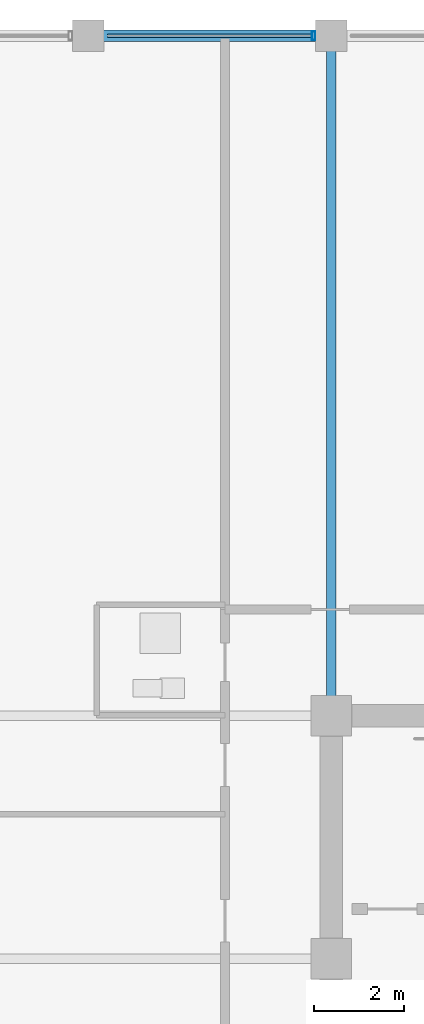
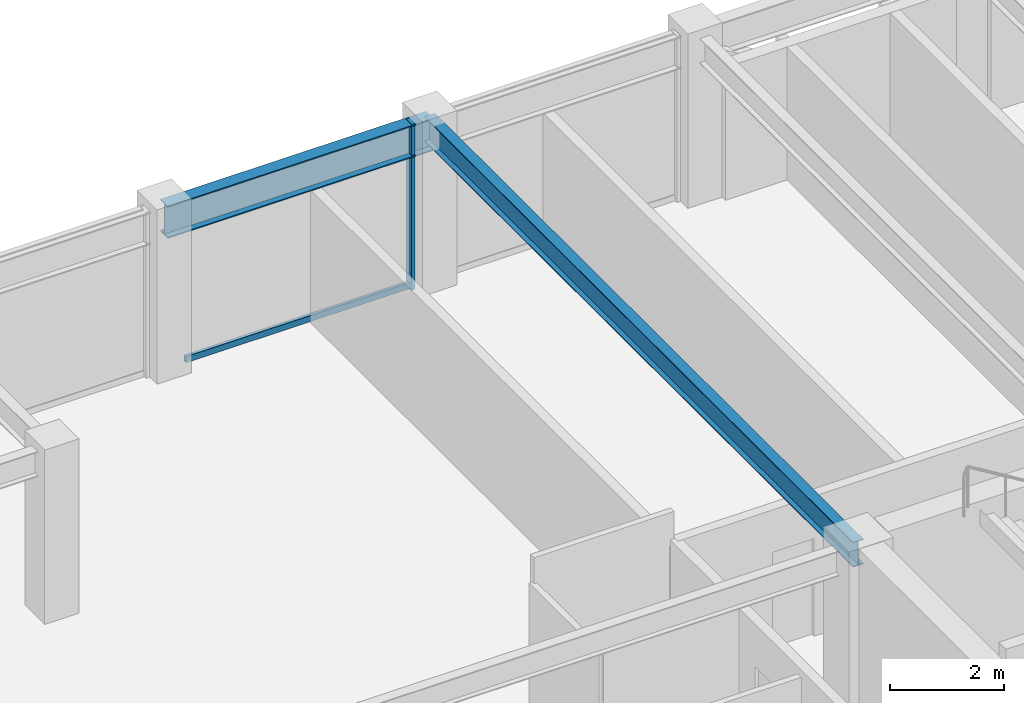
# One storey, part 17 of 31: 2 beams, 2 members, 1 element without a shape of its own.
"""IFC4 building model written with IfcOpenShell, lengths in metres."""

import ifcopenshell
import ifcopenshell.guid

model = None  # the IFC model being written
_history = None  # IfcOwnerHistory: only IFC2X3 demands one
_inside = {}  # id of a spatial element -> (the spatial element, [elements in it])
_under = {}  # id of a project, library or spatial element -> (it, [spatial elements below it])
_declared = {}  # id of a project -> (the project, [libraries it declares])
_typed = {}  # id of a type object -> (the type object, [elements of that type])
_made_of = {}  # id of a material, layer set ... -> (it, [elements and type objects made of it])


def new_model(schema):
    """Start an empty IFC model of exactly this schema.

    Asked for "IFC4X3", IfcOpenShell would pick the latest addendum, in which some entities
    have other attributes; the version numbers below select the first issue.
    IFC2X3 requires an IfcOwnerHistory on every rooted entity: one is made here for all.
    """
    global model, _history
    if schema == "IFC4X3":
        model = ifcopenshell.file(schema_version=(4, 3, 0, 0))
    else:
        model = ifcopenshell.file(schema=schema)
    _inside.clear()
    _under.clear()
    _declared.clear()
    _typed.clear()
    _made_of.clear()
    _history = None
    if model.schema == "IFC2X3":
        org = make("IfcOrganization", Name="unknown")
        user = make(
            "IfcPersonAndOrganization",
            ThePerson=make("IfcPerson", FamilyName="unknown"),
            TheOrganization=org,
        )
        app = make(
            "IfcApplication",
            ApplicationDeveloper=org,
            Version="unknown",
            ApplicationFullName="unknown",
            ApplicationIdentifier="unknown",
        )
        _history = make(
            "IfcOwnerHistory",
            OwningUser=user,
            OwningApplication=app,
            ChangeAction="ADDED",
            CreationDate=0,
        )
    return model


def make(cls, **values):
    """One entity of the class cls with the attributes given. An attribute that is None is left unset."""
    return model.create_entity(
        cls, **{name: value for name, value in values.items() if value is not None}
    )


def rooted(cls, **values):
    """An entity with a GlobalId (a new one), such as an element, a storey or a relation."""
    return make(cls, GlobalId=ifcopenshell.guid.new(), OwnerHistory=_history, **values)


def si_unit(unit_type, name, prefix=None):
    """IfcSIUnit, for example si_unit("LENGTHUNIT", "METRE", prefix="MILLI")."""
    return make("IfcSIUnit", UnitType=unit_type, Prefix=prefix, Name=name)


def assignment(units):
    """IfcUnitAssignment: the units of a project."""
    return None if units is None else make("IfcUnitAssignment", Units=units)


def point(xyz):
    """IfcCartesianPoint."""
    return None if xyz is None else make("IfcCartesianPoint", Coordinates=xyz)


def direction(xyz):
    """IfcDirection."""
    return None if xyz is None else make("IfcDirection", DirectionRatios=xyz)


def frame(location, z_axis=None, x_axis=None):
    """IfcAxis2Placement3D, a coordinate frame: its origin and axes. An axis left out is left unset."""
    return make(
        "IfcAxis2Placement3D",
        Location=point(location),
        Axis=direction(z_axis),
        RefDirection=direction(x_axis),
    )


def frame_2d(location, x_axis=None):
    """IfcAxis2Placement2D, a coordinate frame in the plane: its origin and x axis."""
    return make(
        "IfcAxis2Placement2D", Location=point(location), RefDirection=direction(x_axis)
    )


def origin():
    """The frame at (0, 0, 0) with its axes left unset."""
    return frame((0.0, 0.0, 0.0))


def origin_2d():
    """The frame at (0, 0) in the plane with its x axis left unset."""
    return frame_2d((0.0, 0.0))


def place(relative_to, where):
    """IfcLocalPlacement: puts the frame where relative to a parent placement (None: the world)."""
    return make(
        "IfcLocalPlacement", PlacementRelTo=relative_to, RelativePlacement=where
    )


def context(
    kind, dimensions, precision=None, world=None, true_north=None, identifier=None
):
    """IfcGeometricRepresentationContext, for example the 3D "Model" context."""
    return make(
        "IfcGeometricRepresentationContext",
        ContextIdentifier=identifier,
        ContextType=kind,
        CoordinateSpaceDimension=dimensions,
        Precision=precision,
        WorldCoordinateSystem=world,
        TrueNorth=true_north,
    )


def subcontext(parent, identifier, kind, view, scale=None):
    """IfcGeometricRepresentationSubContext, for example "Body" below "Model"."""
    return make(
        "IfcGeometricRepresentationSubContext",
        ContextIdentifier=identifier,
        ContextType=kind,
        ParentContext=parent,
        TargetScale=scale,
        TargetView=view,
    )


def project(units=None, contexts=None):
    """IfcProject with its units and contexts."""
    return rooted(
        "IfcProject",
        Name="project",
        RepresentationContexts=contexts,
        UnitsInContext=assignment(units),
    )


def spatial(cls, under=None, at=None, **own):
    """A site, building, storey or space (cls), placed at a placement, below another one or the project."""
    s = rooted(cls, ObjectPlacement=at, **own)
    if under is not None:
        _under.setdefault(under.id(), (under, []))[1].append(s)
    return s


def profile(cls, at=None, kind="AREA", **sizes):
    """A parametric profile (cls). Its sizes go by their IFC names, for example OverallWidth=200.0."""
    return make(cls, ProfileType=kind, Position=at, **sizes)


def hollow_rectangle(**sizes):
    """IfcRectangleHollowProfileDef."""
    return profile("IfcRectangleHollowProfileDef", **sizes)


def i_section(**sizes):
    """IfcIShapeProfileDef."""
    return profile("IfcIShapeProfileDef", **sizes)


def extrude(swept, where, along, depth):
    """IfcExtrudedAreaSolid: the profile swept, set in the frame where, extruded along a direction by depth."""
    return make(
        "IfcExtrudedAreaSolid",
        SweptArea=swept,
        Position=where,
        ExtrudedDirection=direction(along),
        Depth=depth,
    )


def shape(context_of_items, identifier, shape_type, items):
    """IfcShapeRepresentation: the items that make up one representation, for example the "Body"."""
    return make(
        "IfcShapeRepresentation",
        ContextOfItems=context_of_items,
        RepresentationIdentifier=identifier,
        RepresentationType=shape_type,
        Items=items,
    )


def material(Name=None, Category=None):
    """IfcMaterial."""
    return make("IfcMaterial", Name=Name, Category=Category)


def layer(
    of_material, thickness, ventilated=None, Name=None, Category=None, Priority=None
):
    """IfcMaterialLayer: one layer of a wall or slab, of a material (None: an air gap)."""
    return make(
        "IfcMaterialLayer",
        Material=of_material,
        LayerThickness=thickness,
        IsVentilated=ventilated,
        Name=Name,
        Category=Category,
        Priority=Priority,
    )


def layer_set(layers, Name=None):
    """IfcMaterialLayerSet."""
    return make("IfcMaterialLayerSet", MaterialLayers=layers, LayerSetName=Name)


def material_profile(
    of_material, cross_section, Name=None, Category=None, Priority=None
):
    """IfcMaterialProfile: a cross section and its material."""
    return make(
        "IfcMaterialProfile",
        Name=Name,
        Material=of_material,
        Profile=cross_section,
        Priority=Priority,
        Category=Category,
    )


def profile_set(profiles, Name=None, composite=None):
    """IfcMaterialProfileSet."""
    return make(
        "IfcMaterialProfileSet",
        Name=Name,
        MaterialProfiles=profiles,
        CompositeProfile=composite,
    )


def made_of(thing, what):
    """Note that an element or type object is made of a material, layer set ...; save() writes the relation."""
    if what is not None:
        _made_of.setdefault(what.id(), (what, []))[1].append(thing)
    return thing


def type_object(cls, material=None, **own):
    """A type object (cls), such as IfcWallType, which elements share."""
    return made_of(rooted(cls, **own), material)


def element(
    cls,
    number,
    at=None,
    inside=None,
    cuts=None,
    type_object=None,
    material=None,
    context=None,
    identifier="Body",
    shape_type=None,
    held_by="IfcProductDefinitionShape",
    body=None,
    shapes=None,
    **own,
):
    """One element of the class cls, such as IfcWall. Its Tag is "e" and its number.

    at: its placement. inside: the storey or other place that contains it. cuts: it is an
    opening in that element (IfcRelVoidsElement). A single representation is given by context,
    identifier, shape_type and body (its items); several are given by shapes. held_by: the class
    of the entity that holds the representations. save() writes the other relations.
    """
    e = rooted(cls, Tag="e%d" % number, ObjectPlacement=at, **own)
    if body is not None:
        shapes = [shape(context, identifier, shape_type, body)]
    if shapes is not None:
        e.Representation = make(held_by, Representations=shapes)
    if inside is not None:
        _inside.setdefault(inside.id(), (inside, []))[1].append(e)
    if cuts is not None:
        rooted(
            "IfcRelVoidsElement", RelatingBuildingElement=cuts, RelatedOpeningElement=e
        )
    if type_object is not None:
        _typed.setdefault(type_object.id(), (type_object, []))[1].append(e)
    return made_of(e, material)


def aggregate(whole, parts):
    """IfcRelAggregates: a whole, such as a stair, and the parts it consists of."""
    return rooted("IfcRelAggregates", RelatingObject=whole, RelatedObjects=parts)


def save(model, path):
    """Write the relations noted so far, then the file.

    IfcRelAggregates (storeys below a building ...), IfcRelContainedInSpatialStructure (elements
    in a storey), IfcRelDefinesByType, IfcRelAssociatesMaterial and IfcRelDeclares: one each for
    every whole, place, type object, material and project.
    """
    for whole, parts in _under.values():
        aggregate(whole, parts)
    for where, things in _inside.values():
        rooted(
            "IfcRelContainedInSpatialStructure",
            RelatedElements=things,
            RelatingStructure=where,
        )
    for kind, things in _typed.values():
        rooted("IfcRelDefinesByType", RelatedObjects=things, RelatingType=kind)
    for what, things in _made_of.values():
        rooted("IfcRelAssociatesMaterial", RelatedObjects=things, RelatingMaterial=what)
    for by, libraries in _declared.values():
        rooted("IfcRelDeclares", RelatingContext=by, RelatedDefinitions=libraries)
    model.write(path)


model = new_model("IFC4")

# Units and contexts
model_context = context("Model", 3, precision=1e-05, world=origin(), true_north=direction((0.0, 1.0)))
body_context = subcontext(model_context, "Body", "Model", "MODEL_VIEW")
ifc_project = project(units=[si_unit("LENGTHUNIT", "METRE"), si_unit("AREAUNIT", "SQUARE_METRE"), si_unit("VOLUMEUNIT", "CUBIC_METRE"), si_unit("PLANEANGLEUNIT", "RADIAN"), si_unit("MASSUNIT", "GRAM", prefix="KILO")], contexts=[model_context])

# Site, building, storey
site_placement = place(None, origin())
site = spatial("IfcSite", under=ifc_project, at=site_placement, CompositionType="ELEMENT")
building_placement = place(site_placement, origin())
building = spatial("IfcBuilding", under=site, at=building_placement, Name="Surkhivell Harbour Commons", CompositionType="ELEMENT")
storey_placement = place(building_placement, frame((0.0, 0.0, 285.0)))
storey = spatial("IfcBuildingStorey", under=building, at=storey_placement, Name="L74", CompositionType="ELEMENT", Elevation=285.0)

# Beams
ifc_material_1 = material(Name="Steel S355", Category="steel")
ifc_material_profile_1 = material_profile(ifc_material_1, i_section(OverallWidth=0.2099609375, OverallDepth=0.537109375, WebThickness=0.0107421875, FlangeThickness=0.017333984375, at=origin_2d()), Name="UB533x210x101")
ifc_profile_set_1 = profile_set([ifc_material_profile_1], Name="Steel S355")
beam_type_1 = type_object("IfcBeamType", Name="BM-GRD-533B", PredefinedType="BEAM", material=ifc_profile_set_1)
beam_1_placement = place(storey_placement, frame((-10.800048828125, 10.800048828125, 3.301513671875), z_axis=(0.0, 1.0, 0.0), x_axis=(-1.0, 0.0, 0.0)))
element("IfcBeam", 1, at=beam_1_placement, inside=storey, type_object=beam_type_1, Name="L74 Floor Girder (-10.8,10.8)", PredefinedType="BEAM", context=body_context, shape_type="SweptSolid", body=[
    extrude(i_section(OverallWidth=0.2099609375, OverallDepth=0.537109375, WebThickness=0.0107421875, FlangeThickness=0.017333984375, at=origin_2d()), origin(), (0.0, 0.0, 1.0), 15.099853515625),
])
ifc_material_profile_2 = material_profile(ifc_material_1, i_section(OverallWidth=0.256103515625, OverallDepth=0.693115234375, WebThickness=0.014404296875, FlangeThickness=0.023681640625, at=origin_2d()), Name="UB686x254x170")
ifc_profile_set_2 = profile_set([ifc_material_profile_2], Name="Steel S355")
beam_type_2 = type_object("IfcBeamType", Name="BM-SPN-686", PredefinedType="SPANDREL", material=ifc_profile_set_2)
beam_2_placement = place(storey_placement, frame((-16.199951171875, 25.89990234375, 3.223388671875), z_axis=(1.0, 0.0, 0.0), x_axis=(0.0, 1.0, 0.0)))
element("IfcBeam", 2, at=beam_2_placement, inside=storey, type_object=beam_type_2, Name="L74 Tube Spandrel (-16.2,25.9)", PredefinedType="SPANDREL", context=body_context, shape_type="SweptSolid", body=[
    extrude(i_section(OverallWidth=0.256103515625, OverallDepth=0.693115234375, WebThickness=0.014404296875, FlangeThickness=0.023681640625, at=origin_2d()), origin(), (0.0, 0.0, 1.0), 5.39990234375),
])

# Curtain wall, members
ifc_material_2 = material(Name="Anodised pale-metal aluminium and insulated glazing", Category="aluminium")
ifc_layer = layer(ifc_material_2, 0.175048828125)
ifc_layer_set = layer_set([ifc_layer], Name="Anodised pale-metal aluminium and insulated glazing")
curtain_wall_type = type_object("IfcCurtainWallType", Name="CW-SYS-Z4", PredefinedType="NOTDEFINED", material=ifc_layer_set)
curtain_wall_placement = place(storey_placement, origin())
curtain_wall = element("IfcCurtainWall", 3, at=curtain_wall_placement, inside=storey, type_object=curtain_wall_type, Name="L74 Curtain Wall CW-L74-E07S2", PredefinedType="NOTDEFINED")
ifc_material_3 = material(Name="Anodised pale-metal aluminium alloy 6063-T6", Category="aluminium")
ifc_material_profile_3 = material_profile(ifc_material_3, hollow_rectangle(XDim=0.074951171875, YDim=0.18994140625, WallThickness=0.00390625, at=origin_2d()), Name="ALU-MULL-75x190")
ifc_profile_set_3 = profile_set([ifc_material_profile_3], Name="Anodised pale-metal aluminium alloy 6063-T6")
member_type_1 = type_object("IfcMemberType", Name="CWM-190", PredefinedType="MULLION", material=ifc_profile_set_3)
member_1_placement = place(storey_placement, frame((-11.189453125, 25.89990234375, 0.0), z_axis=(0.0, 0.0, 1.0), x_axis=(-1.0, 0.0, 0.0)))
member_1 = element("IfcMember", 4, at=member_1_placement, type_object=member_type_1, Name="CW-Z4 mullion 2", PredefinedType="MULLION", context=body_context, shape_type="SweptSolid", body=[
    extrude(hollow_rectangle(XDim=0.074951171875, YDim=0.18994140625, WallThickness=0.00390625, at=origin_2d()), origin(), (0.0, 0.0, 1.0), 3.570068359375),
])
ifc_material_4 = material(Name="Champagne anodised aluminium alloy 6063-T6", Category="aluminium")
ifc_material_profile_4 = material_profile(ifc_material_4, hollow_rectangle(XDim=0.070068359375, YDim=0.1298828125, WallThickness=0.00341796875, at=origin_2d()), Name="ALU-TRAN-70x130")
ifc_profile_set_4 = profile_set([ifc_material_profile_4], Name="Champagne anodised aluminium alloy 6063-T6")
member_type_2 = type_object("IfcMemberType", Name="CWT-130", PredefinedType="USERDEFINED", material=ifc_profile_set_4)
member_2_placement = place(storey_placement, frame((-11.22705078125, 25.89990234375, 0.06494140625), z_axis=(-1.0, 0.0, 0.0), x_axis=(0.0, -1.0, 0.0)))
member_2 = element("IfcMember", 5, at=member_2_placement, type_object=member_type_2, Name="CW-Z4 transom 2.1", ObjectType="TRANSOM", PredefinedType="USERDEFINED", context=body_context, shape_type="SweptSolid", body=[
    extrude(hollow_rectangle(XDim=0.070068359375, YDim=0.1298828125, WallThickness=0.00341796875, at=origin_2d()), origin(), (0.0, 0.0, 1.0), 4.5458984375),
])
aggregate(curtain_wall, [member_1, member_2])

save(model, "model.ifc")
